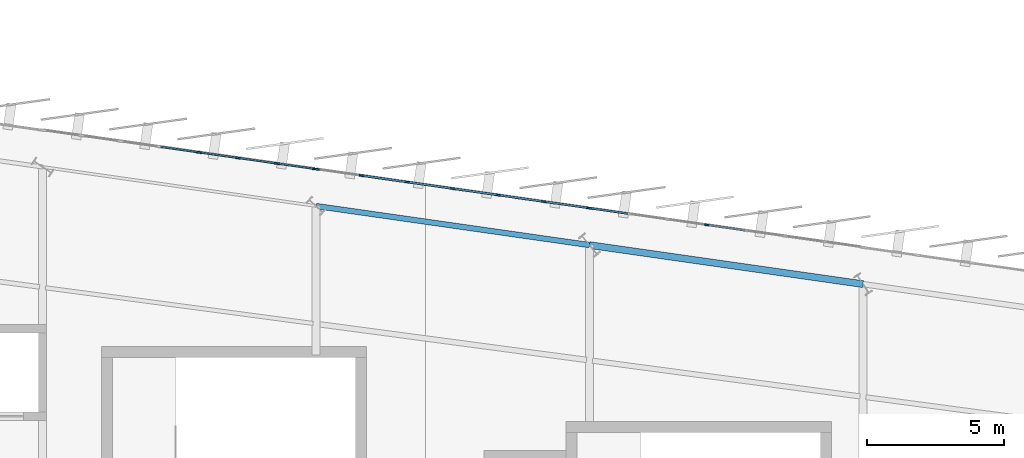
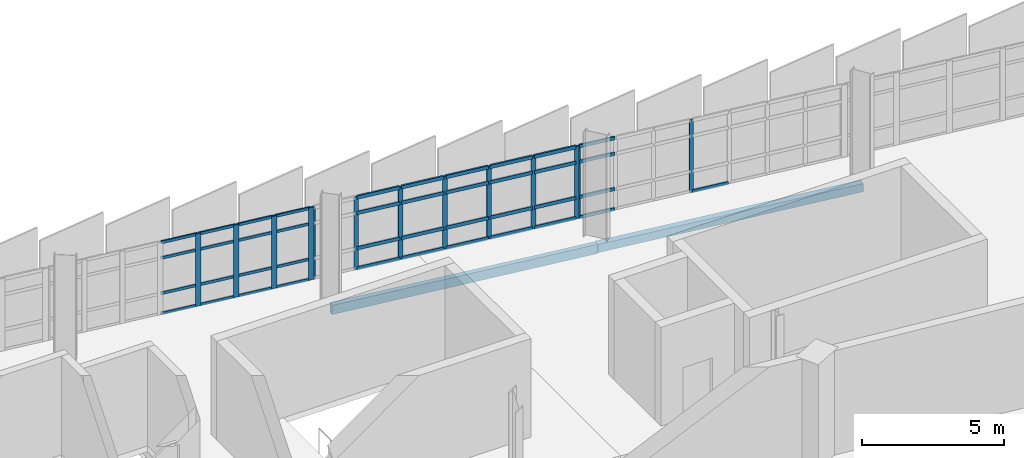
# One storey, part 37 of 87: 54 members, 2 beams, 3 elements without a shape of their own.
"""IFC4 building model written with IfcOpenShell, lengths in metres."""

from ifc_helpers import new_model, si_unit, direction, frame, origin, origin_2d, place, context, subcontext, project, spatial, rectangle, hollow_rectangle, extrude, material, layer, layer_set, material_profile, profile_set, type_object, element, aggregate, save


model = new_model("IFC4")

# Units and contexts
model_context = context("Model", 3, precision=1e-05, world=origin(), true_north=direction((0.0, 1.0)))
body_context = subcontext(model_context, "Body", "Model", "MODEL_VIEW")
ifc_project = project(units=[si_unit("LENGTHUNIT", "METRE"), si_unit("AREAUNIT", "SQUARE_METRE"), si_unit("VOLUMEUNIT", "CUBIC_METRE"), si_unit("PLANEANGLEUNIT", "RADIAN"), si_unit("MASSUNIT", "GRAM", prefix="KILO")], contexts=[model_context])

# Site, building, storey
site_placement = place(None, origin())
site = spatial("IfcSite", under=ifc_project, at=site_placement, CompositionType="ELEMENT")
building_placement = place(site_placement, origin())
building = spatial("IfcBuilding", under=site, at=building_placement, Name="Sohan Crest Arena", CompositionType="ELEMENT")
storey_placement = place(building_placement, frame((0.0, 0.0, 18.0)))
storey = spatial("IfcBuildingStorey", under=building, at=storey_placement, Name="L04", CompositionType="ELEMENT", Elevation=18.0)

# Curtain wall, members
ifc_material_1 = material(Name="Thermally broken anodised aluminium", Category="aluminium")
ifc_layer_1 = layer(ifc_material_1, 0.18994140625, Name="Thermally broken anodised aluminium")
ifc_layer_set_1 = layer_set([ifc_layer_1], Name="Thermally broken anodised aluminium")
curtain_wall_type_1 = type_object("IfcCurtainWallType", Name="ARC-CW05", PredefinedType="NOTDEFINED", material=ifc_layer_set_1)
curtain_wall_1_placement = place(storey_placement, origin())
curtain_wall_1 = element("IfcCurtainWall", 1, at=curtain_wall_1_placement, inside=storey, type_object=curtain_wall_type_1, Name="Unitised curtain wall CW-140", PredefinedType="NOTDEFINED")
ifc_material_profile_1 = material_profile(ifc_material_1, rectangle(XDim=0.06005859375, YDim=0.159912109375, at=origin_2d()), Name="ALU-MULL 60x160")
ifc_profile_set_1 = profile_set([ifc_material_profile_1], Name="Thermally broken anodised aluminium")
member_type_1 = type_object("IfcMemberType", Name="ARC-CW-ML01", PredefinedType="MULLION", material=ifc_profile_set_1)
member_1_placement = place(storey_placement, frame((152.28564453125, 119.594970703125, 0.0), z_axis=(0.0, 0.0, 1.0), x_axis=(-0.141365918403, -0.989957411768, 0.0)))
member_1 = element("IfcMember", 2, at=member_1_placement, type_object=member_type_1, Name="CW-140 mullion 5", PredefinedType="MULLION", context=body_context, shape_type="SweptSolid", body=[
    extrude(rectangle(XDim=0.06005859375, YDim=0.159912109375, at=origin_2d()), origin(), (0.0, 0.0, 1.0), 3.1201171875),
])
member_2_placement = place(storey_placement, frame((148.02978515625, 120.202880859375, 0.0), z_axis=(0.0, 0.0, 1.0), x_axis=(-0.141365918403, -0.989957411768, 0.0)))
member_2 = element("IfcMember", 3, at=member_2_placement, type_object=member_type_1, Name="CW-140 mullion 8", PredefinedType="MULLION", context=body_context, shape_type="SweptSolid", body=[
    extrude(rectangle(XDim=0.06005859375, YDim=0.159912109375, at=origin_2d()), origin(), (0.0, 0.0, 1.0), 3.1201171875),
])

ifc_layer_2 = layer(ifc_material_1, 0.2099609375, Name="Thermally broken anodised aluminium")
ifc_layer_set_2 = layer_set([ifc_layer_2], Name="Thermally broken anodised aluminium")
curtain_wall_type_2 = type_object("IfcCurtainWallType", Name="ARC-CW06", PredefinedType="NOTDEFINED", material=ifc_layer_set_2)
curtain_wall_2_placement = place(storey_placement, origin())
curtain_wall_2 = element("IfcCurtainWall", 4, at=curtain_wall_2_placement, inside=storey, type_object=curtain_wall_type_2, Name="Unitised curtain wall CW-141", PredefinedType="NOTDEFINED")
ifc_material_profile_2 = material_profile(ifc_material_1, rectangle(XDim=0.06494140625, YDim=0.179931640625, at=origin_2d()), Name="ALU-MULL 65x180")
ifc_profile_set_2 = profile_set([ifc_material_profile_2], Name="Thermally broken anodised aluminium")
member_type_2 = type_object("IfcMemberType", Name="ARC-CW-ML02", PredefinedType="MULLION", material=ifc_profile_set_2)
member_3_placement = place(storey_placement, frame((147.9677734375, 120.211669921875, 0.0), z_axis=(0.0, 0.0, 1.0), x_axis=(-0.141462933734, -0.989943553128, 0.0)))
member_3 = element("IfcMember", 5, at=member_3_placement, type_object=member_type_2, Name="CW-141 mullion 1", PredefinedType="MULLION", context=body_context, shape_type="SweptSolid", body=[
    extrude(rectangle(XDim=0.06494140625, YDim=0.179931640625, at=origin_2d()), origin(), (0.0, 0.0, 1.0), 3.1201171875),
])
member_4_placement = place(storey_placement, frame((146.333251953125, 120.445068359375, 0.0), z_axis=(0.0, 0.0, 1.0), x_axis=(-0.141462933734, -0.989943553128, 0.0)))
member_4 = element("IfcMember", 6, at=member_4_placement, type_object=member_type_2, Name="CW-141 mullion 2", PredefinedType="MULLION", context=body_context, shape_type="SweptSolid", body=[
    extrude(rectangle(XDim=0.06494140625, YDim=0.179931640625, at=origin_2d()), origin(), (0.0, 0.0, 1.0), 3.1201171875),
])
member_5_placement = place(storey_placement, frame((144.666748046875, 120.683349609375, 0.0), z_axis=(0.0, 0.0, 1.0), x_axis=(-0.141462933734, -0.989943553128, 0.0)))
member_5 = element("IfcMember", 7, at=member_5_placement, type_object=member_type_2, Name="CW-141 mullion 3", PredefinedType="MULLION", context=body_context, shape_type="SweptSolid", body=[
    extrude(rectangle(XDim=0.06494140625, YDim=0.179931640625, at=origin_2d()), origin(), (0.0, 0.0, 1.0), 3.1201171875),
])
member_6_placement = place(storey_placement, frame((143.0, 120.92138671875, 0.0), z_axis=(0.0, 0.0, 1.0), x_axis=(-0.141462933734, -0.989943553128, 0.0)))
member_6 = element("IfcMember", 8, at=member_6_placement, type_object=member_type_2, Name="CW-141 mullion 4", PredefinedType="MULLION", context=body_context, shape_type="SweptSolid", body=[
    extrude(rectangle(XDim=0.06494140625, YDim=0.179931640625, at=origin_2d()), origin(), (0.0, 0.0, 1.0), 3.1201171875),
])
member_7_placement = place(storey_placement, frame((141.333251953125, 121.15966796875, 0.0), z_axis=(0.0, 0.0, 1.0), x_axis=(-0.141462933734, -0.989943553128, 0.0)))
member_7 = element("IfcMember", 9, at=member_7_placement, type_object=member_type_2, Name="CW-141 mullion 5", PredefinedType="MULLION", context=body_context, shape_type="SweptSolid", body=[
    extrude(rectangle(XDim=0.06494140625, YDim=0.179931640625, at=origin_2d()), origin(), (0.0, 0.0, 1.0), 3.1201171875),
])
member_8_placement = place(storey_placement, frame((139.666748046875, 121.39794921875, 0.0), z_axis=(0.0, 0.0, 1.0), x_axis=(-0.141462933734, -0.989943553128, 0.0)))
member_8 = element("IfcMember", 10, at=member_8_placement, type_object=member_type_2, Name="CW-141 mullion 6", PredefinedType="MULLION", context=body_context, shape_type="SweptSolid", body=[
    extrude(rectangle(XDim=0.06494140625, YDim=0.179931640625, at=origin_2d()), origin(), (0.0, 0.0, 1.0), 3.1201171875),
])
member_9_placement = place(storey_placement, frame((138.0322265625, 121.63134765625, 0.0), z_axis=(0.0, 0.0, 1.0), x_axis=(-0.141462933734, -0.989943553128, 0.0)))
member_9 = element("IfcMember", 11, at=member_9_placement, type_object=member_type_2, Name="CW-141 mullion 7", PredefinedType="MULLION", context=body_context, shape_type="SweptSolid", body=[
    extrude(rectangle(XDim=0.06494140625, YDim=0.179931640625, at=origin_2d()), origin(), (0.0, 0.0, 1.0), 3.1201171875),
])

ifc_layer_3 = layer(ifc_material_1, 0.179931640625, Name="Thermally broken anodised aluminium")
ifc_layer_set_3 = layer_set([ifc_layer_3], Name="Thermally broken anodised aluminium")
curtain_wall_type_3 = type_object("IfcCurtainWallType", Name="ARC-CW01", PredefinedType="NOTDEFINED", material=ifc_layer_set_3)
curtain_wall_3_placement = place(storey_placement, origin())
curtain_wall_3 = element("IfcCurtainWall", 12, at=curtain_wall_3_placement, inside=storey, type_object=curtain_wall_type_3, Name="Unitised curtain wall CW-142", PredefinedType="NOTDEFINED")
ifc_material_profile_3 = material_profile(ifc_material_1, rectangle(XDim=0.070068359375, YDim=0.199951171875, at=origin_2d()), Name="ALU-MULL 70x200")
ifc_profile_set_3 = profile_set([ifc_material_profile_3], Name="Thermally broken anodised aluminium")
member_type_3 = type_object("IfcMemberType", Name="ARC-CW-ML03", PredefinedType="MULLION", material=ifc_profile_set_3)
member_10_placement = place(storey_placement, frame((137.96533203125, 121.640869140625, 0.0), z_axis=(0.0, 0.0, 1.0), x_axis=(-0.141365918403, -0.989957411768, 0.0)))
member_10 = element("IfcMember", 13, at=member_10_placement, type_object=member_type_3, Name="CW-142 mullion 1", PredefinedType="MULLION", context=body_context, shape_type="SweptSolid", body=[
    extrude(rectangle(XDim=0.070068359375, YDim=0.199951171875, at=origin_2d()), origin(), (0.0, 0.0, 1.0), 3.1201171875),
])
member_11_placement = place(storey_placement, frame((136.571533203125, 121.840087890625, 0.0), z_axis=(0.0, 0.0, 1.0), x_axis=(-0.141365918403, -0.989957411768, 0.0)))
member_11 = element("IfcMember", 14, at=member_11_placement, type_object=member_type_3, Name="CW-142 mullion 2", PredefinedType="MULLION", context=body_context, shape_type="SweptSolid", body=[
    extrude(rectangle(XDim=0.070068359375, YDim=0.199951171875, at=origin_2d()), origin(), (0.0, 0.0, 1.0), 3.1201171875),
])
member_12_placement = place(storey_placement, frame((135.142822265625, 122.0439453125, 0.0), z_axis=(0.0, 0.0, 1.0), x_axis=(-0.141365918403, -0.989957411768, 0.0)))
member_12 = element("IfcMember", 15, at=member_12_placement, type_object=member_type_3, Name="CW-142 mullion 3", PredefinedType="MULLION", context=body_context, shape_type="SweptSolid", body=[
    extrude(rectangle(XDim=0.070068359375, YDim=0.199951171875, at=origin_2d()), origin(), (0.0, 0.0, 1.0), 3.1201171875),
])
member_13_placement = place(storey_placement, frame((133.71435546875, 122.248046875, 0.0), z_axis=(0.0, 0.0, 1.0), x_axis=(-0.141365918403, -0.989957411768, 0.0)))
member_13 = element("IfcMember", 16, at=member_13_placement, type_object=member_type_3, Name="CW-142 mullion 4", PredefinedType="MULLION", context=body_context, shape_type="SweptSolid", body=[
    extrude(rectangle(XDim=0.070068359375, YDim=0.199951171875, at=origin_2d()), origin(), (0.0, 0.0, 1.0), 3.1201171875),
])
ifc_material_profile_4 = material_profile(ifc_material_1, rectangle(XDim=0.06005859375, YDim=0.1201171875, at=origin_2d()), Name="ALU-TRAN 60x120")
ifc_profile_set_4 = profile_set([ifc_material_profile_4], Name="Thermally broken anodised aluminium")
member_type_4 = type_object("IfcMemberType", Name="ARC-CW-TR01", PredefinedType="USERDEFINED", material=ifc_profile_set_4)
member_14_placement = place(storey_placement, frame((137.9306640625, 121.64599609375, 0.030029296875), z_axis=(-0.989978664717, 0.1412170082, 0.0), x_axis=(-0.1412170082, -0.989978664717, 0.0)))
member_14 = element("IfcMember", 17, at=member_14_placement, type_object=member_type_4, Name="CW-142 transom 1.1", ObjectType="TRANSOM", PredefinedType="USERDEFINED", context=body_context, shape_type="SweptSolid", body=[
    extrude(rectangle(XDim=0.06005859375, YDim=0.1201171875, at=origin_2d()), origin(), (0.0, 0.0, 1.0), 1.338134765625),
])
member_15_placement = place(storey_placement, frame((137.9306640625, 121.64599609375, 0.89990234375), z_axis=(-0.989978664717, 0.1412170082, 0.0), x_axis=(-0.1412170082, -0.989978664717, 0.0)))
member_15 = element("IfcMember", 18, at=member_15_placement, type_object=member_type_4, Name="CW-142 transom 1.2", ObjectType="TRANSOM", PredefinedType="USERDEFINED", context=body_context, shape_type="SweptSolid", body=[
    extrude(rectangle(XDim=0.06005859375, YDim=0.1201171875, at=origin_2d()), origin(), (0.0, 0.0, 1.0), 1.338134765625),
])
member_16_placement = place(storey_placement, frame((137.9306640625, 121.64599609375, 2.419921875), z_axis=(-0.989978664717, 0.1412170082, 0.0), x_axis=(-0.1412170082, -0.989978664717, 0.0)))
member_16 = element("IfcMember", 19, at=member_16_placement, type_object=member_type_4, Name="CW-142 transom 1.3", ObjectType="TRANSOM", PredefinedType="USERDEFINED", context=body_context, shape_type="SweptSolid", body=[
    extrude(rectangle(XDim=0.06005859375, YDim=0.1201171875, at=origin_2d()), origin(), (0.0, 0.0, 1.0), 1.338134765625),
])
member_17_placement = place(storey_placement, frame((137.9306640625, 121.64599609375, 3.090087890625), z_axis=(-0.989978664717, 0.1412170082, 0.0), x_axis=(-0.1412170082, -0.989978664717, 0.0)))
member_17 = element("IfcMember", 20, at=member_17_placement, type_object=member_type_4, Name="CW-142 transom 1.4", ObjectType="TRANSOM", PredefinedType="USERDEFINED", context=body_context, shape_type="SweptSolid", body=[
    extrude(rectangle(XDim=0.06005859375, YDim=0.1201171875, at=origin_2d()), origin(), (0.0, 0.0, 1.0), 1.338134765625),
])
member_18_placement = place(storey_placement, frame((136.536865234375, 121.844970703125, 0.030029296875), z_axis=(-0.989960158519, 0.141346682116, 0.0), x_axis=(-0.141346682116, -0.989960158519, 0.0)))
member_18 = element("IfcMember", 21, at=member_18_placement, type_object=member_type_4, Name="CW-142 transom 2.1", ObjectType="TRANSOM", PredefinedType="USERDEFINED", context=body_context, shape_type="SweptSolid", body=[
    extrude(rectangle(XDim=0.06005859375, YDim=0.1201171875, at=origin_2d()), origin(), (0.0, 0.0, 1.0), 1.373046875),
])
member_19_placement = place(storey_placement, frame((136.536865234375, 121.844970703125, 0.89990234375), z_axis=(-0.989960158519, 0.141346682116, 0.0), x_axis=(-0.141346682116, -0.989960158519, 0.0)))
member_19 = element("IfcMember", 22, at=member_19_placement, type_object=member_type_4, Name="CW-142 transom 2.2", ObjectType="TRANSOM", PredefinedType="USERDEFINED", context=body_context, shape_type="SweptSolid", body=[
    extrude(rectangle(XDim=0.06005859375, YDim=0.1201171875, at=origin_2d()), origin(), (0.0, 0.0, 1.0), 1.373046875),
])
member_20_placement = place(storey_placement, frame((136.536865234375, 121.844970703125, 2.419921875), z_axis=(-0.989960158519, 0.141346682116, 0.0), x_axis=(-0.141346682116, -0.989960158519, 0.0)))
member_20 = element("IfcMember", 23, at=member_20_placement, type_object=member_type_4, Name="CW-142 transom 2.3", ObjectType="TRANSOM", PredefinedType="USERDEFINED", context=body_context, shape_type="SweptSolid", body=[
    extrude(rectangle(XDim=0.06005859375, YDim=0.1201171875, at=origin_2d()), origin(), (0.0, 0.0, 1.0), 1.373046875),
])
member_21_placement = place(storey_placement, frame((136.536865234375, 121.844970703125, 3.090087890625), z_axis=(-0.989960158519, 0.141346682116, 0.0), x_axis=(-0.141346682116, -0.989960158519, 0.0)))
member_21 = element("IfcMember", 24, at=member_21_placement, type_object=member_type_4, Name="CW-142 transom 2.4", ObjectType="TRANSOM", PredefinedType="USERDEFINED", context=body_context, shape_type="SweptSolid", body=[
    extrude(rectangle(XDim=0.06005859375, YDim=0.1201171875, at=origin_2d()), origin(), (0.0, 0.0, 1.0), 1.373046875),
])
member_22_placement = place(storey_placement, frame((135.108154296875, 122.048828125, 0.030029296875), z_axis=(-0.989931703696, 0.141545830096, 0.0), x_axis=(-0.141545830096, -0.989931703696, 0.0)))
member_22 = element("IfcMember", 25, at=member_22_placement, type_object=member_type_4, Name="CW-142 transom 3.1", ObjectType="TRANSOM", PredefinedType="USERDEFINED", context=body_context, shape_type="SweptSolid", body=[
    extrude(rectangle(XDim=0.06005859375, YDim=0.1201171875, at=origin_2d()), origin(), (0.0, 0.0, 1.0), 1.373046875),
])
member_23_placement = place(storey_placement, frame((135.108154296875, 122.048828125, 0.89990234375), z_axis=(-0.989931703696, 0.141545830096, 0.0), x_axis=(-0.141545830096, -0.989931703696, 0.0)))
member_23 = element("IfcMember", 26, at=member_23_placement, type_object=member_type_4, Name="CW-142 transom 3.2", ObjectType="TRANSOM", PredefinedType="USERDEFINED", context=body_context, shape_type="SweptSolid", body=[
    extrude(rectangle(XDim=0.06005859375, YDim=0.1201171875, at=origin_2d()), origin(), (0.0, 0.0, 1.0), 1.373046875),
])
member_24_placement = place(storey_placement, frame((135.108154296875, 122.048828125, 2.419921875), z_axis=(-0.989931703696, 0.141545830096, 0.0), x_axis=(-0.141545830096, -0.989931703696, 0.0)))
member_24 = element("IfcMember", 27, at=member_24_placement, type_object=member_type_4, Name="CW-142 transom 3.3", ObjectType="TRANSOM", PredefinedType="USERDEFINED", context=body_context, shape_type="SweptSolid", body=[
    extrude(rectangle(XDim=0.06005859375, YDim=0.1201171875, at=origin_2d()), origin(), (0.0, 0.0, 1.0), 1.373046875),
])
member_25_placement = place(storey_placement, frame((135.108154296875, 122.048828125, 3.090087890625), z_axis=(-0.989931703696, 0.141545830096, 0.0), x_axis=(-0.141545830096, -0.989931703696, 0.0)))
member_25 = element("IfcMember", 28, at=member_25_placement, type_object=member_type_4, Name="CW-142 transom 3.4", ObjectType="TRANSOM", PredefinedType="USERDEFINED", context=body_context, shape_type="SweptSolid", body=[
    extrude(rectangle(XDim=0.06005859375, YDim=0.1201171875, at=origin_2d()), origin(), (0.0, 0.0, 1.0), 1.373046875),
])
member_26_placement = place(storey_placement, frame((133.6796875, 122.2529296875, 0.030029296875), z_axis=(-0.989960158519, 0.141346682116, 0.0), x_axis=(-0.141346682116, -0.989960158519, 0.0)))
member_26 = element("IfcMember", 29, at=member_26_placement, type_object=member_type_4, Name="CW-142 transom 4.1", ObjectType="TRANSOM", PredefinedType="USERDEFINED", context=body_context, shape_type="SweptSolid", body=[
    extrude(rectangle(XDim=0.06005859375, YDim=0.1201171875, at=origin_2d()), origin(), (0.0, 0.0, 1.0), 1.373046875),
])
member_27_placement = place(storey_placement, frame((133.6796875, 122.2529296875, 0.89990234375), z_axis=(-0.989960158519, 0.141346682116, 0.0), x_axis=(-0.141346682116, -0.989960158519, 0.0)))
member_27 = element("IfcMember", 30, at=member_27_placement, type_object=member_type_4, Name="CW-142 transom 4.2", ObjectType="TRANSOM", PredefinedType="USERDEFINED", context=body_context, shape_type="SweptSolid", body=[
    extrude(rectangle(XDim=0.06005859375, YDim=0.1201171875, at=origin_2d()), origin(), (0.0, 0.0, 1.0), 1.373046875),
])
member_28_placement = place(storey_placement, frame((133.6796875, 122.2529296875, 2.419921875), z_axis=(-0.989960158519, 0.141346682116, 0.0), x_axis=(-0.141346682116, -0.989960158519, 0.0)))
member_28 = element("IfcMember", 31, at=member_28_placement, type_object=member_type_4, Name="CW-142 transom 4.3", ObjectType="TRANSOM", PredefinedType="USERDEFINED", context=body_context, shape_type="SweptSolid", body=[
    extrude(rectangle(XDim=0.06005859375, YDim=0.1201171875, at=origin_2d()), origin(), (0.0, 0.0, 1.0), 1.373046875),
])
member_29_placement = place(storey_placement, frame((133.6796875, 122.2529296875, 3.090087890625), z_axis=(-0.989960158519, 0.141346682116, 0.0), x_axis=(-0.141346682116, -0.989960158519, 0.0)))
member_29 = element("IfcMember", 32, at=member_29_placement, type_object=member_type_4, Name="CW-142 transom 4.4", ObjectType="TRANSOM", PredefinedType="USERDEFINED", context=body_context, shape_type="SweptSolid", body=[
    extrude(rectangle(XDim=0.06005859375, YDim=0.1201171875, at=origin_2d()), origin(), (0.0, 0.0, 1.0), 1.373046875),
])
aggregate(curtain_wall_3, [member_10, member_11, member_12, member_13, member_14, member_15, member_16, member_17, member_18, member_19, member_20, member_21, member_22, member_23, member_24, member_25, member_26, member_27, member_28, member_29])

# Member
ifc_material_profile_5 = material_profile(ifc_material_1, rectangle(XDim=0.06494140625, YDim=0.139892578125, at=origin_2d()), Name="ALU-TRAN 65x140")
ifc_profile_set_5 = profile_set([ifc_material_profile_5], Name="Thermally broken anodised aluminium")
member_type_5 = type_object("IfcMemberType", Name="ARC-CW-TR02", PredefinedType="USERDEFINED", material=ifc_profile_set_5)
member_30_placement = place(storey_placement, frame((153.6845703125, 119.395263671875, 0.032470703125), z_axis=(-0.989953023856, 0.141396642673, 0.0), x_axis=(-0.141396642673, -0.989953023856, 0.0)))
member_30 = element("IfcMember", 33, at=member_30_placement, type_object=member_type_5, Name="CW-140 transom 4.1", ObjectType="TRANSOM", PredefinedType="USERDEFINED", context=body_context, shape_type="SweptSolid", body=[
    extrude(rectangle(XDim=0.06494140625, YDim=0.139892578125, at=origin_2d()), origin(), (0.0, 0.0, 1.0), 1.383056640625),
])

member_31_placement = place(storey_placement, frame((149.39892578125, 120.00732421875, 0.032470703125), z_axis=(-0.989971132604, 0.141269800771, 0.0), x_axis=(-0.141269800771, -0.989971132604, 0.0)))
member_31 = element("IfcMember", 34, at=member_31_placement, type_object=member_type_5, Name="CW-140 transom 7.1", ObjectType="TRANSOM", PredefinedType="USERDEFINED", context=body_context, shape_type="SweptSolid", body=[
    extrude(rectangle(XDim=0.06494140625, YDim=0.139892578125, at=origin_2d()), origin(), (0.0, 0.0, 1.0), 1.353271484375),
])

member_32_placement = place(storey_placement, frame((149.39892578125, 120.00732421875, 0.89990234375), z_axis=(-0.989971132604, 0.141269800771, 0.0), x_axis=(-0.141269800771, -0.989971132604, 0.0)))
member_32 = element("IfcMember", 35, at=member_32_placement, type_object=member_type_5, Name="CW-140 transom 7.2", ObjectType="TRANSOM", PredefinedType="USERDEFINED", context=body_context, shape_type="SweptSolid", body=[
    extrude(rectangle(XDim=0.06494140625, YDim=0.139892578125, at=origin_2d()), origin(), (0.0, 0.0, 1.0), 1.353271484375),
])

member_33_placement = place(storey_placement, frame((149.39892578125, 120.00732421875, 2.419921875), z_axis=(-0.989971132604, 0.141269800771, 0.0), x_axis=(-0.141269800771, -0.989971132604, 0.0)))
member_33 = element("IfcMember", 36, at=member_33_placement, type_object=member_type_5, Name="CW-140 transom 7.3", ObjectType="TRANSOM", PredefinedType="USERDEFINED", context=body_context, shape_type="SweptSolid", body=[
    extrude(rectangle(XDim=0.06494140625, YDim=0.139892578125, at=origin_2d()), origin(), (0.0, 0.0, 1.0), 1.353271484375),
])

member_34_placement = place(storey_placement, frame((149.39892578125, 120.00732421875, 3.08740234375), z_axis=(-0.989971132604, 0.141269800771, 0.0), x_axis=(-0.141269800771, -0.989971132604, 0.0)))
member_34 = element("IfcMember", 37, at=member_34_placement, type_object=member_type_5, Name="CW-140 transom 7.4", ObjectType="TRANSOM", PredefinedType="USERDEFINED", context=body_context, shape_type="SweptSolid", body=[
    extrude(rectangle(XDim=0.06494140625, YDim=0.139892578125, at=origin_2d()), origin(), (0.0, 0.0, 1.0), 1.353271484375),
])

aggregate(curtain_wall_1, [member_1, member_2, member_30, member_31, member_32, member_33, member_34])

ifc_material_profile_6 = material_profile(ifc_material_1, rectangle(XDim=0.070068359375, YDim=0.14990234375, at=origin_2d()), Name="ALU-TRAN 70x150")
ifc_profile_set_6 = profile_set([ifc_material_profile_6], Name="Thermally broken anodised aluminium")
member_type_6 = type_object("IfcMemberType", Name="ARC-CW-TR03", PredefinedType="USERDEFINED", material=ifc_profile_set_6)
member_35_placement = place(storey_placement, frame((147.935546875, 120.21630859375, 0.034912109375), z_axis=(-0.989943335402, 0.141464457353, 0.0), x_axis=(-0.141464457353, -0.989943335402, 0.0)))
member_35 = element("IfcMember", 38, at=member_35_placement, type_object=member_type_6, Name="CW-141 transom 1.1", ObjectType="TRANSOM", PredefinedType="USERDEFINED", context=body_context, shape_type="SweptSolid", body=[
    extrude(rectangle(XDim=0.070068359375, YDim=0.14990234375, at=origin_2d()), origin(), (0.0, 0.0, 1.0), 1.5859375),
])

member_36_placement = place(storey_placement, frame((147.935546875, 120.21630859375, 0.89990234375), z_axis=(-0.989943335402, 0.141464457353, 0.0), x_axis=(-0.141464457353, -0.989943335402, 0.0)))
member_36 = element("IfcMember", 39, at=member_36_placement, type_object=member_type_6, Name="CW-141 transom 1.2", ObjectType="TRANSOM", PredefinedType="USERDEFINED", context=body_context, shape_type="SweptSolid", body=[
    extrude(rectangle(XDim=0.070068359375, YDim=0.14990234375, at=origin_2d()), origin(), (0.0, 0.0, 1.0), 1.5859375),
])

member_37_placement = place(storey_placement, frame((147.935546875, 120.21630859375, 2.419921875), z_axis=(-0.989943335402, 0.141464457353, 0.0), x_axis=(-0.141464457353, -0.989943335402, 0.0)))
member_37 = element("IfcMember", 40, at=member_37_placement, type_object=member_type_6, Name="CW-141 transom 1.3", ObjectType="TRANSOM", PredefinedType="USERDEFINED", context=body_context, shape_type="SweptSolid", body=[
    extrude(rectangle(XDim=0.070068359375, YDim=0.14990234375, at=origin_2d()), origin(), (0.0, 0.0, 1.0), 1.5859375),
])

member_38_placement = place(storey_placement, frame((147.935546875, 120.21630859375, 3.0849609375), z_axis=(-0.989943335402, 0.141464457353, 0.0), x_axis=(-0.141464457353, -0.989943335402, 0.0)))
member_38 = element("IfcMember", 41, at=member_38_placement, type_object=member_type_6, Name="CW-141 transom 1.4", ObjectType="TRANSOM", PredefinedType="USERDEFINED", context=body_context, shape_type="SweptSolid", body=[
    extrude(rectangle(XDim=0.070068359375, YDim=0.14990234375, at=origin_2d()), origin(), (0.0, 0.0, 1.0), 1.5859375),
])

member_39_placement = place(storey_placement, frame((146.30126953125, 120.44970703125, 0.034912109375), z_axis=(-0.989943460198, 0.141463584044, 0.0), x_axis=(-0.141463584044, -0.989943460198, 0.0)))
member_39 = element("IfcMember", 42, at=member_39_placement, type_object=member_type_6, Name="CW-141 transom 2.1", ObjectType="TRANSOM", PredefinedType="USERDEFINED", context=body_context, shape_type="SweptSolid", body=[
    extrude(rectangle(XDim=0.070068359375, YDim=0.14990234375, at=origin_2d()), origin(), (0.0, 0.0, 1.0), 1.618896484375),
])

member_40_placement = place(storey_placement, frame((146.30126953125, 120.44970703125, 0.89990234375), z_axis=(-0.989943460198, 0.141463584044, 0.0), x_axis=(-0.141463584044, -0.989943460198, 0.0)))
member_40 = element("IfcMember", 43, at=member_40_placement, type_object=member_type_6, Name="CW-141 transom 2.2", ObjectType="TRANSOM", PredefinedType="USERDEFINED", context=body_context, shape_type="SweptSolid", body=[
    extrude(rectangle(XDim=0.070068359375, YDim=0.14990234375, at=origin_2d()), origin(), (0.0, 0.0, 1.0), 1.618896484375),
])

member_41_placement = place(storey_placement, frame((146.30126953125, 120.44970703125, 2.419921875), z_axis=(-0.989943460198, 0.141463584044, 0.0), x_axis=(-0.141463584044, -0.989943460198, 0.0)))
member_41 = element("IfcMember", 44, at=member_41_placement, type_object=member_type_6, Name="CW-141 transom 2.3", ObjectType="TRANSOM", PredefinedType="USERDEFINED", context=body_context, shape_type="SweptSolid", body=[
    extrude(rectangle(XDim=0.070068359375, YDim=0.14990234375, at=origin_2d()), origin(), (0.0, 0.0, 1.0), 1.618896484375),
])

member_42_placement = place(storey_placement, frame((146.30126953125, 120.44970703125, 3.0849609375), z_axis=(-0.989943460198, 0.141463584044, 0.0), x_axis=(-0.141463584044, -0.989943460198, 0.0)))
member_42 = element("IfcMember", 45, at=member_42_placement, type_object=member_type_6, Name="CW-141 transom 2.4", ObjectType="TRANSOM", PredefinedType="USERDEFINED", context=body_context, shape_type="SweptSolid", body=[
    extrude(rectangle(XDim=0.070068359375, YDim=0.14990234375, at=origin_2d()), origin(), (0.0, 0.0, 1.0), 1.618896484375),
])

member_43_placement = place(storey_placement, frame((144.634521484375, 120.68798828125, 0.034912109375), z_axis=(-0.98994044144, 0.141484707309, 0.0), x_axis=(-0.141484707309, -0.98994044144, 0.0)))
member_43 = element("IfcMember", 46, at=member_43_placement, type_object=member_type_6, Name="CW-141 transom 3.1", ObjectType="TRANSOM", PredefinedType="USERDEFINED", context=body_context, shape_type="SweptSolid", body=[
    extrude(rectangle(XDim=0.070068359375, YDim=0.14990234375, at=origin_2d()), origin(), (0.0, 0.0, 1.0), 1.61865234375),
])

member_44_placement = place(storey_placement, frame((144.634521484375, 120.68798828125, 0.89990234375), z_axis=(-0.98994044144, 0.141484707309, 0.0), x_axis=(-0.141484707309, -0.98994044144, 0.0)))
member_44 = element("IfcMember", 47, at=member_44_placement, type_object=member_type_6, Name="CW-141 transom 3.2", ObjectType="TRANSOM", PredefinedType="USERDEFINED", context=body_context, shape_type="SweptSolid", body=[
    extrude(rectangle(XDim=0.070068359375, YDim=0.14990234375, at=origin_2d()), origin(), (0.0, 0.0, 1.0), 1.61865234375),
])

member_45_placement = place(storey_placement, frame((144.634521484375, 120.68798828125, 2.419921875), z_axis=(-0.98994044144, 0.141484707309, 0.0), x_axis=(-0.141484707309, -0.98994044144, 0.0)))
member_45 = element("IfcMember", 48, at=member_45_placement, type_object=member_type_6, Name="CW-141 transom 3.3", ObjectType="TRANSOM", PredefinedType="USERDEFINED", context=body_context, shape_type="SweptSolid", body=[
    extrude(rectangle(XDim=0.070068359375, YDim=0.14990234375, at=origin_2d()), origin(), (0.0, 0.0, 1.0), 1.61865234375),
])

member_46_placement = place(storey_placement, frame((144.634521484375, 120.68798828125, 3.0849609375), z_axis=(-0.98994044144, 0.141484707309, 0.0), x_axis=(-0.141484707309, -0.98994044144, 0.0)))
member_46 = element("IfcMember", 49, at=member_46_placement, type_object=member_type_6, Name="CW-141 transom 3.4", ObjectType="TRANSOM", PredefinedType="USERDEFINED", context=body_context, shape_type="SweptSolid", body=[
    extrude(rectangle(XDim=0.070068359375, YDim=0.14990234375, at=origin_2d()), origin(), (0.0, 0.0, 1.0), 1.61865234375),
])

member_47_placement = place(storey_placement, frame((142.9677734375, 120.926025390625, 0.034912109375), z_axis=(-0.98994044144, 0.141484707309, 0.0), x_axis=(-0.141484707309, -0.98994044144, 0.0)))
member_47 = element("IfcMember", 50, at=member_47_placement, type_object=member_type_6, Name="CW-141 transom 4.1", ObjectType="TRANSOM", PredefinedType="USERDEFINED", context=body_context, shape_type="SweptSolid", body=[
    extrude(rectangle(XDim=0.070068359375, YDim=0.14990234375, at=origin_2d()), origin(), (0.0, 0.0, 1.0), 1.61865234375),
])

member_48_placement = place(storey_placement, frame((142.9677734375, 120.926025390625, 0.89990234375), z_axis=(-0.98994044144, 0.141484707309, 0.0), x_axis=(-0.141484707309, -0.98994044144, 0.0)))
member_48 = element("IfcMember", 51, at=member_48_placement, type_object=member_type_6, Name="CW-141 transom 4.2", ObjectType="TRANSOM", PredefinedType="USERDEFINED", context=body_context, shape_type="SweptSolid", body=[
    extrude(rectangle(XDim=0.070068359375, YDim=0.14990234375, at=origin_2d()), origin(), (0.0, 0.0, 1.0), 1.61865234375),
])

member_49_placement = place(storey_placement, frame((142.9677734375, 120.926025390625, 2.419921875), z_axis=(-0.98994044144, 0.141484707309, 0.0), x_axis=(-0.141484707309, -0.98994044144, 0.0)))
member_49 = element("IfcMember", 52, at=member_49_placement, type_object=member_type_6, Name="CW-141 transom 4.3", ObjectType="TRANSOM", PredefinedType="USERDEFINED", context=body_context, shape_type="SweptSolid", body=[
    extrude(rectangle(XDim=0.070068359375, YDim=0.14990234375, at=origin_2d()), origin(), (0.0, 0.0, 1.0), 1.61865234375),
])

member_50_placement = place(storey_placement, frame((142.9677734375, 120.926025390625, 3.0849609375), z_axis=(-0.98994044144, 0.141484707309, 0.0), x_axis=(-0.141484707309, -0.98994044144, 0.0)))
member_50 = element("IfcMember", 53, at=member_50_placement, type_object=member_type_6, Name="CW-141 transom 4.4", ObjectType="TRANSOM", PredefinedType="USERDEFINED", context=body_context, shape_type="SweptSolid", body=[
    extrude(rectangle(XDim=0.070068359375, YDim=0.14990234375, at=origin_2d()), origin(), (0.0, 0.0, 1.0), 1.61865234375),
])

member_51_placement = place(storey_placement, frame((141.30126953125, 121.164306640625, 0.034912109375), z_axis=(-0.989943460198, 0.141463584044, 0.0), x_axis=(-0.141463584044, -0.989943460198, 0.0)))
member_51 = element("IfcMember", 54, at=member_51_placement, type_object=member_type_6, Name="CW-141 transom 5.1", ObjectType="TRANSOM", PredefinedType="USERDEFINED", context=body_context, shape_type="SweptSolid", body=[
    extrude(rectangle(XDim=0.070068359375, YDim=0.14990234375, at=origin_2d()), origin(), (0.0, 0.0, 1.0), 1.618896484375),
])

member_52_placement = place(storey_placement, frame((141.30126953125, 121.164306640625, 0.89990234375), z_axis=(-0.989943460198, 0.141463584044, 0.0), x_axis=(-0.141463584044, -0.989943460198, 0.0)))
member_52 = element("IfcMember", 55, at=member_52_placement, type_object=member_type_6, Name="CW-141 transom 5.2", ObjectType="TRANSOM", PredefinedType="USERDEFINED", context=body_context, shape_type="SweptSolid", body=[
    extrude(rectangle(XDim=0.070068359375, YDim=0.14990234375, at=origin_2d()), origin(), (0.0, 0.0, 1.0), 1.618896484375),
])

member_53_placement = place(storey_placement, frame((141.30126953125, 121.164306640625, 2.419921875), z_axis=(-0.989943460198, 0.141463584044, 0.0), x_axis=(-0.141463584044, -0.989943460198, 0.0)))
member_53 = element("IfcMember", 56, at=member_53_placement, type_object=member_type_6, Name="CW-141 transom 5.3", ObjectType="TRANSOM", PredefinedType="USERDEFINED", context=body_context, shape_type="SweptSolid", body=[
    extrude(rectangle(XDim=0.070068359375, YDim=0.14990234375, at=origin_2d()), origin(), (0.0, 0.0, 1.0), 1.618896484375),
])

member_54_placement = place(storey_placement, frame((141.30126953125, 121.164306640625, 3.0849609375), z_axis=(-0.989943460198, 0.141463584044, 0.0), x_axis=(-0.141463584044, -0.989943460198, 0.0)))
member_54 = element("IfcMember", 57, at=member_54_placement, type_object=member_type_6, Name="CW-141 transom 5.4", ObjectType="TRANSOM", PredefinedType="USERDEFINED", context=body_context, shape_type="SweptSolid", body=[
    extrude(rectangle(XDim=0.070068359375, YDim=0.14990234375, at=origin_2d()), origin(), (0.0, 0.0, 1.0), 1.618896484375),
])

aggregate(curtain_wall_2, [member_3, member_4, member_5, member_6, member_7, member_8, member_9, member_35, member_36, member_37, member_38, member_39, member_40, member_41, member_42, member_43, member_44, member_45, member_46, member_47, member_48, member_49, member_50, member_51, member_52, member_53, member_54])

# Beams
ifc_material_2 = material(Name="Steel S355", Category="steel")
ifc_material_profile_7 = material_profile(ifc_material_2, hollow_rectangle(XDim=0.25, YDim=0.35009765625, WallThickness=0.012451171875, at=origin_2d()), Name="RHS 350x250x12.5")
ifc_profile_set_7 = profile_set([ifc_material_profile_7], Name="Steel S355")
beam_type_1 = type_object("IfcBeamType", Name="STR-BM-SP04", PredefinedType="SPANDREL", material=ifc_profile_set_7)
beam_1_placement = place(storey_placement, frame((158.0, 117.428955078125, -0.425048828125), z_axis=(-0.989957709412, 0.141363834042, 0.0), x_axis=(-0.141363834042, -0.989957709412, 0.0)))
element("IfcBeam", 58, at=beam_1_placement, inside=storey, type_object=beam_type_1, Name="Structural beam SP-L04-1681", PredefinedType="SPANDREL", context=body_context, shape_type="SweptSolid", body=[
    extrude(hollow_rectangle(XDim=0.25, YDim=0.35009765625, WallThickness=0.012451171875, at=origin_2d()), origin(), (0.0, 0.0, 1.0), 10.1015625),
])
ifc_material_profile_8 = material_profile(ifc_material_2, hollow_rectangle(XDim=0.199951171875, YDim=0.39990234375, WallThickness=0.012451171875, at=origin_2d()), Name="RHS 400x200x12.5")
ifc_profile_set_8 = profile_set([ifc_material_profile_8], Name="Steel S355")
beam_type_2 = type_object("IfcBeamType", Name="STR-BM-SP05", PredefinedType="SPANDREL", material=ifc_profile_set_8)
beam_2_placement = place(storey_placement, frame((148.0, 118.85693359375, -0.449951171875), z_axis=(-0.989944175879, 0.141458575718, 0.0), x_axis=(-0.141458575718, -0.989944175879, 0.0)))
element("IfcBeam", 59, at=beam_2_placement, inside=storey, type_object=beam_type_2, Name="Structural beam SP-L04-1686", PredefinedType="SPANDREL", context=body_context, shape_type="SweptSolid", body=[
    extrude(hollow_rectangle(XDim=0.199951171875, YDim=0.39990234375, WallThickness=0.012451171875, at=origin_2d()), origin(), (0.0, 0.0, 1.0), 10.1015625),
])

save(model, "model.ifc")
